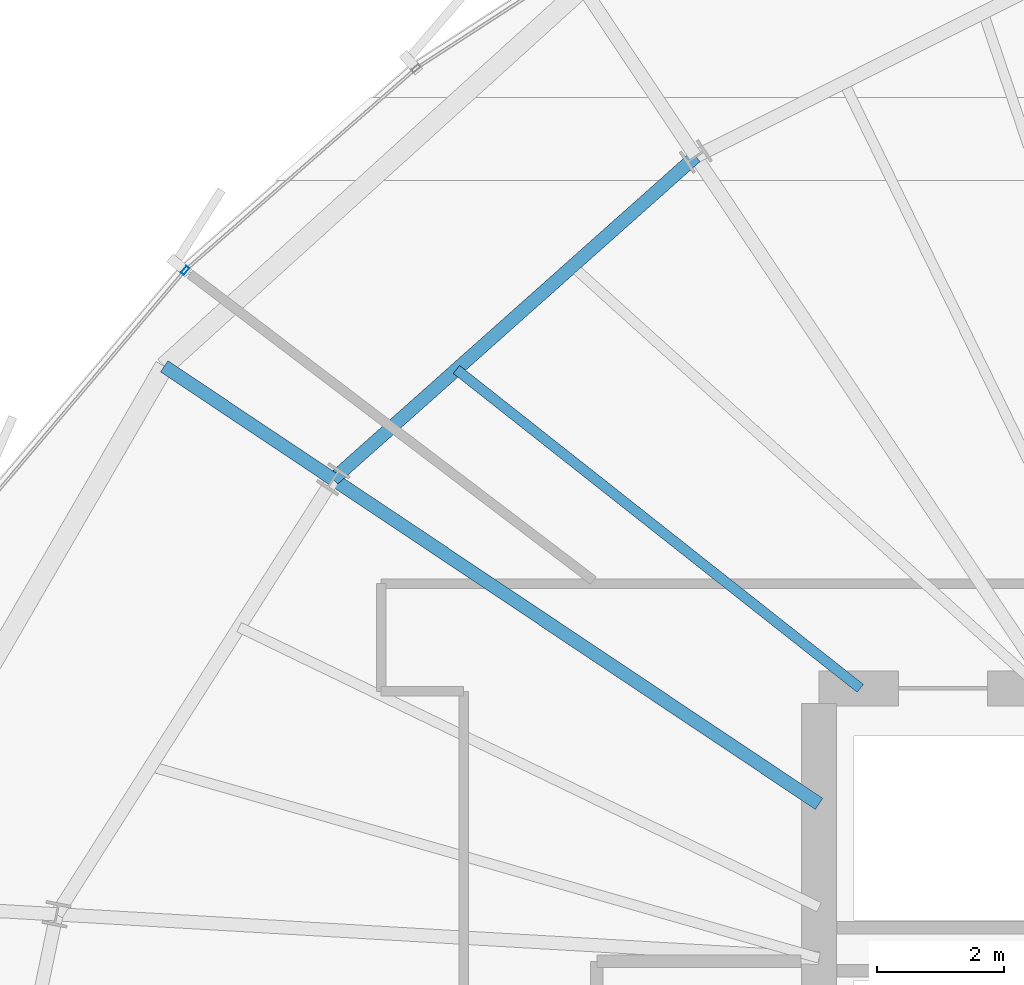
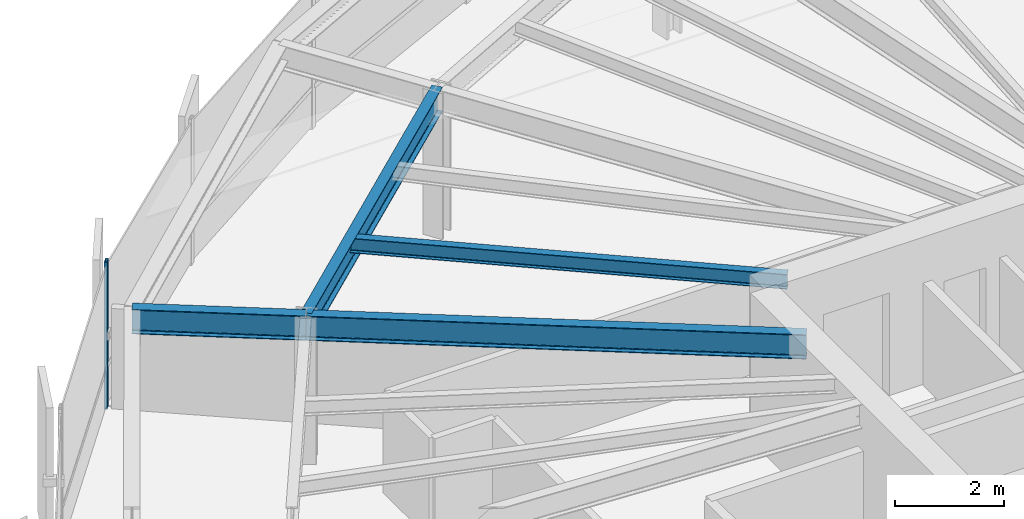
# One storey, part 18 of 36: 4 beams, 1 member, 1 element without a shape of its own.
"""IFC4 building model written with IfcOpenShell, lengths in metres."""

from ifc_helpers import new_model, si_unit, direction, frame, origin, origin_2d, place, context, subcontext, project, spatial, hollow_rectangle, i_section, extrude, source, transform, mapped, material, layer, layer_set, material_profile, profile_set, type_object, element, aggregate, save


model = new_model("IFC4")

# Units and contexts
model_context = context("Model", 3, precision=1e-05, world=origin(), true_north=direction((0.0, 1.0)))
body_context = subcontext(model_context, "Body", "Model", "MODEL_VIEW")
ifc_project = project(units=[si_unit("LENGTHUNIT", "METRE"), si_unit("AREAUNIT", "SQUARE_METRE"), si_unit("VOLUMEUNIT", "CUBIC_METRE"), si_unit("PLANEANGLEUNIT", "RADIAN"), si_unit("MASSUNIT", "GRAM", prefix="KILO"), si_unit("THERMODYNAMICTEMPERATUREUNIT", "KELVIN")], contexts=[model_context])

# Site, building, storey
site_placement = place(None, origin())
site = spatial("IfcSite", under=ifc_project, at=site_placement, CompositionType="ELEMENT")
building_placement = place(site_placement, origin())
building = spatial("IfcBuilding", under=site, at=building_placement, Name="Kethvar Cultural Tower", CompositionType="ELEMENT")
storey_placement = place(building_placement, frame((0.0, 0.0, 150.10009765625)))
storey = spatial("IfcBuildingStorey", under=building, at=storey_placement, Name="L38", CompositionType="ELEMENT", Elevation=150.10009765625)

# Beams
ifc_material_1 = material(Name="Steel S355J2", Category="steel")
ifc_material_profile_1 = material_profile(ifc_material_1, i_section(OverallWidth=0.2099609375, OverallDepth=0.550048828125, WebThickness=0.010986328125, FlangeThickness=0.01708984375, FilletRadius=0.02392578125, at=origin_2d()), Name="Steel S355J2 — IPE550")
ifc_profile_set_1 = profile_set([ifc_material_profile_1], Name="Steel S355J2 — IPE550")
beam_type_1 = type_object("IfcBeamType", Name="BM-IPE550", PredefinedType="BEAM", material=ifc_profile_set_1)
shared_shape_1 = source(origin(), body_context, "Body", "SweptSolid", [
    extrude(i_section(OverallWidth=0.2099609375, OverallDepth=0.550048828125, WebThickness=0.010986328125, FlangeThickness=0.01708984375, FilletRadius=0.02392578125, at=origin_2d()), origin(), (0.0, 0.0, 1.0), 3.199951171875),
])
beam_1_placement = place(storey_placement, frame((30.345947265625, 38.794189453125, 3.02294921875), z_axis=(-0.831462943996, 0.555580212716, 0.0), x_axis=(-0.555580212716, -0.831462943996, 0.0)))
element("IfcBeam", 1, at=beam_1_placement, inside=storey, type_object=beam_type_1, Name="L38 Perimeter Cantilever Beam RC-07", PredefinedType="BEAM", context=body_context, shape_type="MappedRepresentation", body=[
    mapped(shared_shape_1, transform((0.0, 0.0, 0.0), scale=1.0)),
])
shared_shape_2 = source(origin(), body_context, "Body", "SweptSolid", [
    extrude(i_section(OverallWidth=0.2099609375, OverallDepth=0.550048828125, WebThickness=0.010986328125, FlangeThickness=0.01708984375, FilletRadius=0.02392578125, at=origin_2d()), origin(), (0.0, 0.0, 1.0), 9.205322265625),
])
beam_2_placement = place(storey_placement, frame((38.0, 33.679931640625, 3.02294921875), z_axis=(-0.831470451236, 0.555568977465, 0.0), x_axis=(-0.555568977465, -0.831470451236, 0.0)))
element("IfcBeam", 2, at=beam_2_placement, inside=storey, type_object=beam_type_1, Name="L38 Primary Radial Beam RB-07", PredefinedType="BEAM", context=body_context, shape_type="MappedRepresentation", body=[
    mapped(shared_shape_2, transform((0.0, 0.0, 0.0), scale=1.0)),
])
shared_shape_3 = source(origin(), body_context, "Body", "SweptSolid", [
    extrude(i_section(OverallWidth=0.2099609375, OverallDepth=0.550048828125, WebThickness=0.010986328125, FlangeThickness=0.01708984375, FilletRadius=0.02392578125, at=origin_2d()), origin(), (0.0, 0.0, 1.0), 7.64599609375),
])
beam_3_placement = place(storey_placement, frame((36.0576171875, 43.877197265625, 3.02294921875), z_axis=(-0.747021617367, -0.66479974668, 0.0), x_axis=(0.66479974668, -0.747021617367, 0.0)))
element("IfcBeam", 3, at=beam_3_placement, inside=storey, type_object=beam_type_1, Name="L38 Column Ring Tie Beam CR-06", PredefinedType="BEAM", context=body_context, shape_type="MappedRepresentation", body=[
    mapped(shared_shape_3, transform((0.0, 0.0, 0.0), scale=1.0)),
])
ifc_material_profile_2 = material_profile(ifc_material_1, i_section(OverallWidth=0.159912109375, OverallDepth=0.330078125, WebThickness=0.007568359375, FlangeThickness=0.011474609375, FilletRadius=0.01806640625, at=origin_2d()), Name="Steel S355J2 — IPE330")
ifc_profile_set_2 = profile_set([ifc_material_profile_2], Name="Steel S355J2 — IPE330")
beam_type_2 = type_object("IfcBeamType", Name="BM-J330", PredefinedType="JOIST", material=ifc_profile_set_2)
shared_shape_4 = source(origin(), body_context, "Body", "SweptSolid", [
    extrude(i_section(OverallWidth=0.159912109375, OverallDepth=0.330078125, WebThickness=0.007568359375, FlangeThickness=0.011474609375, FilletRadius=0.01806640625, at=origin_2d()), origin(), (0.0, 0.0, 1.0), 8.105712890625),
])
beam_4_placement = place(storey_placement, frame((38.64990234375, 35.5, 3.1328125), z_axis=(-0.784895872164, 0.619627686486, 0.0), x_axis=(-0.619627686486, -0.784895872164, 0.0)))
element("IfcBeam", 4, at=beam_4_placement, inside=storey, type_object=beam_type_2, Name="L38 Composite Floor Joist J-06B", PredefinedType="JOIST", context=body_context, shape_type="MappedRepresentation", body=[
    mapped(shared_shape_4, transform((0.0, 0.0, 0.0), scale=1.0)),
])

# Curtain wall, member
ifc_material_2 = material(Name="Aluminium 6063-T6", Category="aluminium")
ifc_layer = layer(ifc_material_2, 0.179931640625, Name="Aluminium 6063-T6", Category="aluminium")
ifc_layer_set = layer_set([ifc_layer], Name="Aluminium 6063-T6 (180 mm)")
curtain_wall_type = type_object("IfcCurtainWallType", Name="CW-SYS-04-Z34", PredefinedType="NOTDEFINED", material=ifc_layer_set)
curtain_wall_placement = place(storey_placement, origin())
curtain_wall = element("IfcCurtainWall", 5, at=curtain_wall_placement, inside=storey, type_object=curtain_wall_type, Name="L38 Curtain Wall Run 02", PredefinedType="NOTDEFINED")
ifc_material_profile_3 = material_profile(ifc_material_2, hollow_rectangle(XDim=0.06005859375, YDim=0.139892578125, WallThickness=0.0048828125, at=origin_2d()), Name="Aluminium 6063-T6 — RHS140x60x5")
ifc_profile_set_3 = profile_set([ifc_material_profile_3], Name="Aluminium 6063-T6 — RHS140x60x5")
member_type = type_object("IfcMemberType", Name="CW-SYS-04-Z34-MUL", PredefinedType="MULLION", material=ifc_profile_set_3)
shared_shape_5 = source(origin(), body_context, "Body", "SweptSolid", [
    extrude(hollow_rectangle(XDim=0.06005859375, YDim=0.139892578125, WallThickness=0.0048828125, at=origin_2d()), origin(), (0.0, 0.0, 1.0), 3.2998046875),
])
member_placement = place(storey_placement, frame((28.012451171875, 42.083984375, 0.0), z_axis=(0.0, 0.0, 1.0), x_axis=(0.762894055451, -0.646523518642, 0.0)))
member = element("IfcMember", 6, at=member_placement, type_object=member_type, Name="CW-L38-R02 Mullion 6", PredefinedType="MULLION", context=body_context, shape_type="MappedRepresentation", body=[
    mapped(shared_shape_5, transform((0.0, 0.0, 0.0), scale=1.0)),
])
aggregate(curtain_wall, [member])

save(model, "model.ifc")
